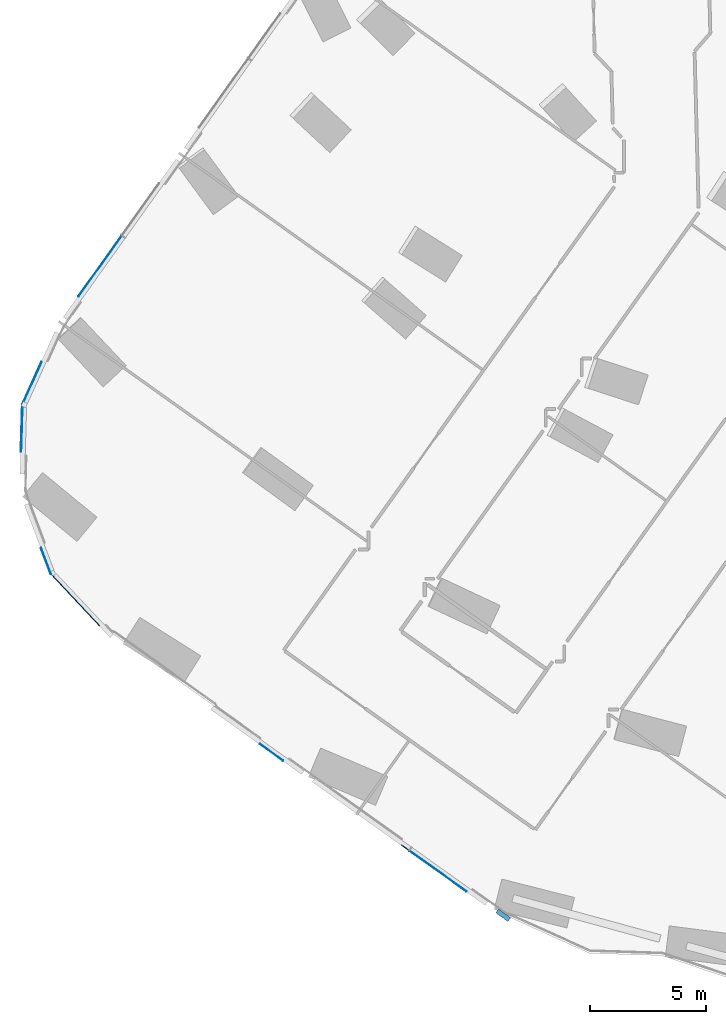
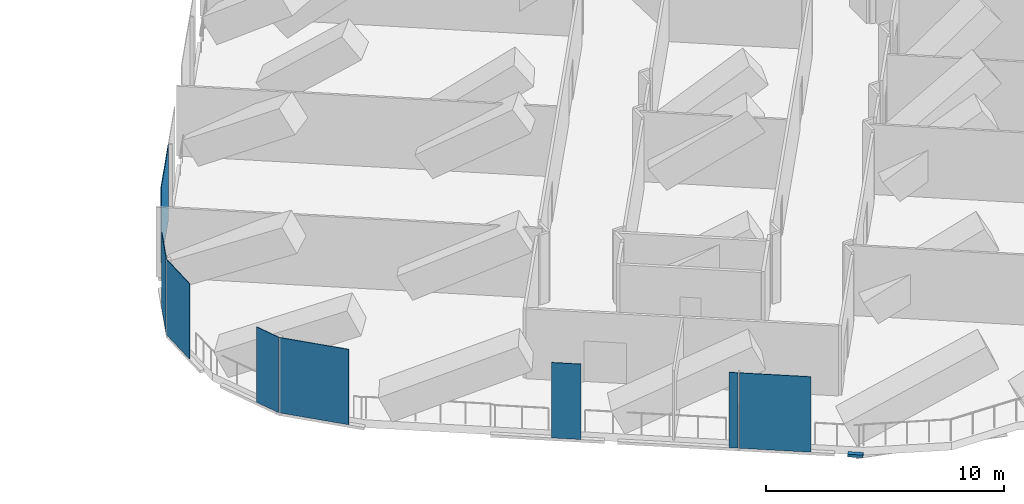
# One storey, part 17 of 34: 8 plates, 1 member, 6 elements without a shape of their own.
"""IFC4 building model written with IfcOpenShell, lengths in metres."""

import ifcopenshell
import ifcopenshell.guid

model = None  # the IFC model being written
_history = None  # IfcOwnerHistory: only IFC2X3 demands one
_inside = {}  # id of a spatial element -> (the spatial element, [elements in it])
_under = {}  # id of a project, library or spatial element -> (it, [spatial elements below it])
_declared = {}  # id of a project -> (the project, [libraries it declares])
_typed = {}  # id of a type object -> (the type object, [elements of that type])
_made_of = {}  # id of a material, layer set ... -> (it, [elements and type objects made of it])


def new_model(schema):
    """Start an empty IFC model of exactly this schema.

    Asked for "IFC4X3", IfcOpenShell would pick the latest addendum, in which some entities
    have other attributes; the version numbers below select the first issue.
    IFC2X3 requires an IfcOwnerHistory on every rooted entity: one is made here for all.
    """
    global model, _history
    if schema == "IFC4X3":
        model = ifcopenshell.file(schema_version=(4, 3, 0, 0))
    else:
        model = ifcopenshell.file(schema=schema)
    _inside.clear()
    _under.clear()
    _declared.clear()
    _typed.clear()
    _made_of.clear()
    _history = None
    if model.schema == "IFC2X3":
        org = make("IfcOrganization", Name="unknown")
        user = make(
            "IfcPersonAndOrganization",
            ThePerson=make("IfcPerson", FamilyName="unknown"),
            TheOrganization=org,
        )
        app = make(
            "IfcApplication",
            ApplicationDeveloper=org,
            Version="unknown",
            ApplicationFullName="unknown",
            ApplicationIdentifier="unknown",
        )
        _history = make(
            "IfcOwnerHistory",
            OwningUser=user,
            OwningApplication=app,
            ChangeAction="ADDED",
            CreationDate=0,
        )
    return model


def make(cls, **values):
    """One entity of the class cls with the attributes given. An attribute that is None is left unset."""
    return model.create_entity(
        cls, **{name: value for name, value in values.items() if value is not None}
    )


def rooted(cls, **values):
    """An entity with a GlobalId (a new one), such as an element, a storey or a relation."""
    return make(cls, GlobalId=ifcopenshell.guid.new(), OwnerHistory=_history, **values)


def si_unit(unit_type, name, prefix=None):
    """IfcSIUnit, for example si_unit("LENGTHUNIT", "METRE", prefix="MILLI")."""
    return make("IfcSIUnit", UnitType=unit_type, Prefix=prefix, Name=name)


def assignment(units):
    """IfcUnitAssignment: the units of a project."""
    return None if units is None else make("IfcUnitAssignment", Units=units)


def point(xyz):
    """IfcCartesianPoint."""
    return None if xyz is None else make("IfcCartesianPoint", Coordinates=xyz)


def direction(xyz):
    """IfcDirection."""
    return None if xyz is None else make("IfcDirection", DirectionRatios=xyz)


def frame(location, z_axis=None, x_axis=None):
    """IfcAxis2Placement3D, a coordinate frame: its origin and axes. An axis left out is left unset."""
    return make(
        "IfcAxis2Placement3D",
        Location=point(location),
        Axis=direction(z_axis),
        RefDirection=direction(x_axis),
    )


def frame_2d(location, x_axis=None):
    """IfcAxis2Placement2D, a coordinate frame in the plane: its origin and x axis."""
    return make(
        "IfcAxis2Placement2D", Location=point(location), RefDirection=direction(x_axis)
    )


def origin():
    """The frame at (0, 0, 0) with its axes left unset."""
    return frame((0.0, 0.0, 0.0))


def origin_2d():
    """The frame at (0, 0) in the plane with its x axis left unset."""
    return frame_2d((0.0, 0.0))


def place(relative_to, where):
    """IfcLocalPlacement: puts the frame where relative to a parent placement (None: the world)."""
    return make(
        "IfcLocalPlacement", PlacementRelTo=relative_to, RelativePlacement=where
    )


def context(
    kind, dimensions, precision=None, world=None, true_north=None, identifier=None
):
    """IfcGeometricRepresentationContext, for example the 3D "Model" context."""
    return make(
        "IfcGeometricRepresentationContext",
        ContextIdentifier=identifier,
        ContextType=kind,
        CoordinateSpaceDimension=dimensions,
        Precision=precision,
        WorldCoordinateSystem=world,
        TrueNorth=true_north,
    )


def subcontext(parent, identifier, kind, view, scale=None):
    """IfcGeometricRepresentationSubContext, for example "Body" below "Model"."""
    return make(
        "IfcGeometricRepresentationSubContext",
        ContextIdentifier=identifier,
        ContextType=kind,
        ParentContext=parent,
        TargetScale=scale,
        TargetView=view,
    )


def project(units=None, contexts=None):
    """IfcProject with its units and contexts."""
    return rooted(
        "IfcProject",
        Name="project",
        RepresentationContexts=contexts,
        UnitsInContext=assignment(units),
    )


def spatial(cls, under=None, at=None, **own):
    """A site, building, storey or space (cls), placed at a placement, below another one or the project."""
    s = rooted(cls, ObjectPlacement=at, **own)
    if under is not None:
        _under.setdefault(under.id(), (under, []))[1].append(s)
    return s


def profile(cls, at=None, kind="AREA", **sizes):
    """A parametric profile (cls). Its sizes go by their IFC names, for example OverallWidth=200.0."""
    return make(cls, ProfileType=kind, Position=at, **sizes)


def rectangle(**sizes):
    """IfcRectangleProfileDef."""
    return profile("IfcRectangleProfileDef", **sizes)


def extrude(swept, where, along, depth):
    """IfcExtrudedAreaSolid: the profile swept, set in the frame where, extruded along a direction by depth."""
    return make(
        "IfcExtrudedAreaSolid",
        SweptArea=swept,
        Position=where,
        ExtrudedDirection=direction(along),
        Depth=depth,
    )


def shape(context_of_items, identifier, shape_type, items):
    """IfcShapeRepresentation: the items that make up one representation, for example the "Body"."""
    return make(
        "IfcShapeRepresentation",
        ContextOfItems=context_of_items,
        RepresentationIdentifier=identifier,
        RepresentationType=shape_type,
        Items=items,
    )


def material(Name=None, Category=None):
    """IfcMaterial."""
    return make("IfcMaterial", Name=Name, Category=Category)


def layer(
    of_material, thickness, ventilated=None, Name=None, Category=None, Priority=None
):
    """IfcMaterialLayer: one layer of a wall or slab, of a material (None: an air gap)."""
    return make(
        "IfcMaterialLayer",
        Material=of_material,
        LayerThickness=thickness,
        IsVentilated=ventilated,
        Name=Name,
        Category=Category,
        Priority=Priority,
    )


def layer_set(layers, Name=None):
    """IfcMaterialLayerSet."""
    return make("IfcMaterialLayerSet", MaterialLayers=layers, LayerSetName=Name)


def material_profile(
    of_material, cross_section, Name=None, Category=None, Priority=None
):
    """IfcMaterialProfile: a cross section and its material."""
    return make(
        "IfcMaterialProfile",
        Name=Name,
        Material=of_material,
        Profile=cross_section,
        Priority=Priority,
        Category=Category,
    )


def profile_set(profiles, Name=None, composite=None):
    """IfcMaterialProfileSet."""
    return make(
        "IfcMaterialProfileSet",
        Name=Name,
        MaterialProfiles=profiles,
        CompositeProfile=composite,
    )


def made_of(thing, what):
    """Note that an element or type object is made of a material, layer set ...; save() writes the relation."""
    if what is not None:
        _made_of.setdefault(what.id(), (what, []))[1].append(thing)
    return thing


def type_object(cls, material=None, **own):
    """A type object (cls), such as IfcWallType, which elements share."""
    return made_of(rooted(cls, **own), material)


def element(
    cls,
    number,
    at=None,
    inside=None,
    cuts=None,
    type_object=None,
    material=None,
    context=None,
    identifier="Body",
    shape_type=None,
    held_by="IfcProductDefinitionShape",
    body=None,
    shapes=None,
    **own,
):
    """One element of the class cls, such as IfcWall. Its Tag is "e" and its number.

    at: its placement. inside: the storey or other place that contains it. cuts: it is an
    opening in that element (IfcRelVoidsElement). A single representation is given by context,
    identifier, shape_type and body (its items); several are given by shapes. held_by: the class
    of the entity that holds the representations. save() writes the other relations.
    """
    e = rooted(cls, Tag="e%d" % number, ObjectPlacement=at, **own)
    if body is not None:
        shapes = [shape(context, identifier, shape_type, body)]
    if shapes is not None:
        e.Representation = make(held_by, Representations=shapes)
    if inside is not None:
        _inside.setdefault(inside.id(), (inside, []))[1].append(e)
    if cuts is not None:
        rooted(
            "IfcRelVoidsElement", RelatingBuildingElement=cuts, RelatedOpeningElement=e
        )
    if type_object is not None:
        _typed.setdefault(type_object.id(), (type_object, []))[1].append(e)
    return made_of(e, material)


def aggregate(whole, parts):
    """IfcRelAggregates: a whole, such as a stair, and the parts it consists of."""
    return rooted("IfcRelAggregates", RelatingObject=whole, RelatedObjects=parts)


def save(model, path):
    """Write the relations noted so far, then the file.

    IfcRelAggregates (storeys below a building ...), IfcRelContainedInSpatialStructure (elements
    in a storey), IfcRelDefinesByType, IfcRelAssociatesMaterial and IfcRelDeclares: one each for
    every whole, place, type object, material and project.
    """
    for whole, parts in _under.values():
        aggregate(whole, parts)
    for where, things in _inside.values():
        rooted(
            "IfcRelContainedInSpatialStructure",
            RelatedElements=things,
            RelatingStructure=where,
        )
    for kind, things in _typed.values():
        rooted("IfcRelDefinesByType", RelatedObjects=things, RelatingType=kind)
    for what, things in _made_of.values():
        rooted("IfcRelAssociatesMaterial", RelatedObjects=things, RelatingMaterial=what)
    for by, libraries in _declared.values():
        rooted("IfcRelDeclares", RelatingContext=by, RelatedDefinitions=libraries)
    model.write(path)


model = new_model("IFC4")

# Units and contexts
model_context = context("Model", 3, precision=1e-05, world=origin(), true_north=direction((0.0, 1.0)))
body_context = subcontext(model_context, "Body", "Model", "MODEL_VIEW")
ifc_project = project(units=[si_unit("LENGTHUNIT", "METRE"), si_unit("AREAUNIT", "SQUARE_METRE"), si_unit("VOLUMEUNIT", "CUBIC_METRE"), si_unit("PLANEANGLEUNIT", "RADIAN"), si_unit("MASSUNIT", "GRAM", prefix="KILO")], contexts=[model_context])

# Site, building, storey
site_placement = place(None, origin())
site = spatial("IfcSite", under=ifc_project, at=site_placement, CompositionType="ELEMENT")
building_placement = place(site_placement, origin())
building = spatial("IfcBuilding", under=site, at=building_placement, Name="Orlundy Tower", CompositionType="ELEMENT")
storey_placement = place(building_placement, frame((0.0, 0.0, 98.199951171875)))
storey = spatial("IfcBuildingStorey", under=building, at=storey_placement, Name="L24", CompositionType="ELEMENT", Elevation=98.199951171875)

# Curtain wall, member, plates
ifc_material_1 = material(Name="Aluminium bronze anodised", Category="aluminium")
curtain_wall_type = type_object("IfcCurtainWallType", Name="CW5 wall", PredefinedType="NOTDEFINED", material=ifc_material_1)
curtain_wall_1_placement = place(storey_placement, origin())
curtain_wall_1 = element("IfcCurtainWall", 1, at=curtain_wall_1_placement, inside=storey, type_object=curtain_wall_type, Name="CW5 run 07", PredefinedType="NOTDEFINED")
ifc_material_2 = material(Name="Aluminium bronze anodised", Category="aluminium")
ifc_material_profile = material_profile(ifc_material_2, rectangle(XDim=0.199951171875, YDim=0.139892578125, at=origin_2d()), Name="CW5 transom 200x140")
ifc_profile_set = profile_set([ifc_material_profile], Name="Aluminium bronze anodised")
member_type = type_object("IfcMemberType", Name="CW5 transom 200x140", PredefinedType="USERDEFINED", material=ifc_profile_set)
member_placement = place(storey_placement, frame((-26.654541015625, -55.423583984375, -0.329833984375), z_axis=(-0.814217787178, 0.580559553398, 0.0), x_axis=(-0.580559553398, -0.814217787178, 0.0)))
member = element("IfcMember", 2, at=member_placement, type_object=member_type, Name="CW5 transom", ObjectType="TRANSOM", PredefinedType="USERDEFINED", context=body_context, shape_type="SweptSolid", body=[
    extrude(rectangle(XDim=0.199951171875, YDim=0.139892578125, at=origin_2d()), origin(), (0.0, 0.0, 1.0), 0.646728515625),
])
ifc_material_3 = material(Name="Tinted glass", Category="glass")
ifc_layer_1 = layer(ifc_material_3, 0.031982421875)
ifc_layer_set_1 = layer_set([ifc_layer_1], Name="CW5 glass panel 32")
plate_type_1 = type_object("IfcPlateType", Name="CW5 glass panel 32", PredefinedType="CURTAIN_PANEL", material=ifc_layer_set_1)
plate_1_placement = place(storey_placement, frame((-29.718994140625, -53.341064453125, -0.259765625), z_axis=(0.0, 0.0, 1.0), x_axis=(-0.814141892545, 0.580665978686, 0.0)))
plate_1 = element("IfcPlate", 3, at=plate_1_placement, type_object=plate_type_1, Name="CW5 panel", PredefinedType="CURTAIN_PANEL", context=body_context, shape_type="SweptSolid", body=[
    extrude(rectangle(XDim=3.010986328125, YDim=0.031982421875, at=origin_2d()), origin(), (0.0, 0.0, 1.0), 3.860107421875),
])
plate_2_placement = place(storey_placement, frame((-36.8876953125, -48.22802734375, -0.259765625), z_axis=(0.0, 0.0, 1.0), x_axis=(-0.814141892545, 0.580665978686, 0.0)))
plate_2 = element("IfcPlate", 4, at=plate_2_placement, type_object=plate_type_1, Name="CW5 panel", PredefinedType="CURTAIN_PANEL", context=body_context, shape_type="SweptSolid", body=[
    extrude(rectangle(XDim=1.229736328125, YDim=0.031982421875, at=origin_2d()), origin(), (0.0, 0.0, 1.0), 3.860107421875),
])

# Curtain wall, plate
curtain_wall_2_placement = place(storey_placement, origin())
curtain_wall_2 = element("IfcCurtainWall", 5, at=curtain_wall_2_placement, inside=storey, type_object=curtain_wall_type, Name="CW5 run 09", PredefinedType="NOTDEFINED")
plate_3_placement = place(storey_placement, frame((-46.59423828125, -39.99072265625, -0.259765625), z_axis=(0.0, 0.0, 1.0), x_axis=(-0.354166301715, 0.935182458523, 0.0)))
plate_3 = element("IfcPlate", 6, at=plate_3_placement, type_object=plate_type_1, Name="CW5 panel", PredefinedType="CURTAIN_PANEL", context=body_context, shape_type="SweptSolid", body=[
    extrude(rectangle(XDim=1.2099609375, YDim=0.031982421875, at=origin_2d()), origin(), (0.0, 0.0, 1.0), 3.860107421875),
])
aggregate(curtain_wall_2, [plate_3])

curtain_wall_3_placement = place(storey_placement, origin())
curtain_wall_3 = element("IfcCurtainWall", 7, at=curtain_wall_3_placement, inside=storey, type_object=curtain_wall_type, Name="CW5 run 010", PredefinedType="NOTDEFINED")
plate_4_placement = place(storey_placement, frame((-47.635009765625, -34.267578125, -0.259765625), z_axis=(0.0, 0.0, 1.0), x_axis=(0.030485149754, 0.999535219812, 0.0)))
plate_4 = element("IfcPlate", 8, at=plate_4_placement, type_object=plate_type_1, Name="CW5 panel", PredefinedType="CURTAIN_PANEL", context=body_context, shape_type="SweptSolid", body=[
    extrude(rectangle(XDim=2.050537109375, YDim=0.031982421875, at=origin_2d()), origin(), (0.0, 0.0, 1.0), 3.860107421875),
])
aggregate(curtain_wall_3, [plate_4])

curtain_wall_4_placement = place(storey_placement, origin())
curtain_wall_4 = element("IfcCurtainWall", 9, at=curtain_wall_4_placement, inside=storey, type_object=curtain_wall_type, Name="CW5 run 012", PredefinedType="NOTDEFINED")
plate_5_placement = place(storey_placement, frame((-44.27099609375, -27.30810546875, -0.259765625), z_axis=(0.0, 0.0, 1.0), x_axis=(0.580682705509, 0.814129962305, 0.0)))
plate_5 = element("IfcPlate", 10, at=plate_5_placement, type_object=plate_type_1, Name="CW5 panel", PredefinedType="CURTAIN_PANEL", context=body_context, shape_type="SweptSolid", body=[
    extrude(rectangle(XDim=3.19873046875, YDim=0.031982421875, at=origin_2d()), origin(), (0.0, 0.0, 1.0), 3.860107421875),
])
aggregate(curtain_wall_4, [plate_5])

# Plate
ifc_material_4 = material(Name="Tinted glass", Category="glass")
ifc_layer_2 = layer(ifc_material_4, 0.031982421875)
ifc_layer_set_2 = layer_set([ifc_layer_2], Name="CW5 vent panel 32")
plate_type_2 = type_object("IfcPlateType", Name="CW5 vent panel 32", PredefinedType="CURTAIN_PANEL", material=ifc_layer_set_2)
plate_6_placement = place(storey_placement, frame((-31.139404296875, -52.327880859375, -0.259765625), z_axis=(0.0, 0.0, 1.0), x_axis=(-0.814141892545, 0.580665978686, 0.0)))
plate_6 = element("IfcPlate", 11, at=plate_6_placement, type_object=plate_type_2, Name="CW5 panel", PredefinedType="CURTAIN_PANEL", context=body_context, shape_type="SweptSolid", body=[
    extrude(rectangle(XDim=0.37841796875, YDim=0.031982421875, at=origin_2d()), origin(), (0.0, 0.0, 1.0), 3.860107421875),
])

aggregate(curtain_wall_1, [plate_1, plate_6, plate_2, member])

# Curtain wall, plate
curtain_wall_5_placement = place(storey_placement, origin())
curtain_wall_5 = element("IfcCurtainWall", 12, at=curtain_wall_5_placement, inside=storey, type_object=curtain_wall_type, Name="CW5 run 08", PredefinedType="NOTDEFINED")
plate_7_placement = place(storey_placement, frame((-45.33154296875, -41.6708984375, -0.259765625), z_axis=(0.0, 0.0, 1.0), x_axis=(-0.685196388583, 0.728358365828, 0.0)))
plate_7 = element("IfcPlate", 13, at=plate_7_placement, type_object=plate_type_2, Name="CW5 panel", PredefinedType="CURTAIN_PANEL", context=body_context, shape_type="SweptSolid", body=[
    extrude(rectangle(XDim=3.060546875, YDim=0.031982421875, at=origin_2d()), origin(), (0.0, 0.0, 1.0), 3.860107421875),
])
aggregate(curtain_wall_5, [plate_7])

curtain_wall_6_placement = place(storey_placement, origin())
curtain_wall_6 = element("IfcCurtainWall", 14, at=curtain_wall_6_placement, inside=storey, type_object=curtain_wall_type, Name="CW5 run 011", PredefinedType="NOTDEFINED")
plate_8_placement = place(storey_placement, frame((-47.194091796875, -32.333984375, -0.259765625), z_axis=(0.0, 0.0, 1.0), x_axis=(0.410914311157, 0.911673970719, 0.0)))
plate_8 = element("IfcPlate", 15, at=plate_8_placement, type_object=plate_type_2, Name="CW5 panel", PredefinedType="CURTAIN_PANEL", context=body_context, shape_type="SweptSolid", body=[
    extrude(rectangle(XDim=1.99365234375, YDim=0.031982421875, at=origin_2d()), origin(), (0.0, 0.0, 1.0), 3.860107421875),
])
aggregate(curtain_wall_6, [plate_8])

save(model, "model.ifc")
